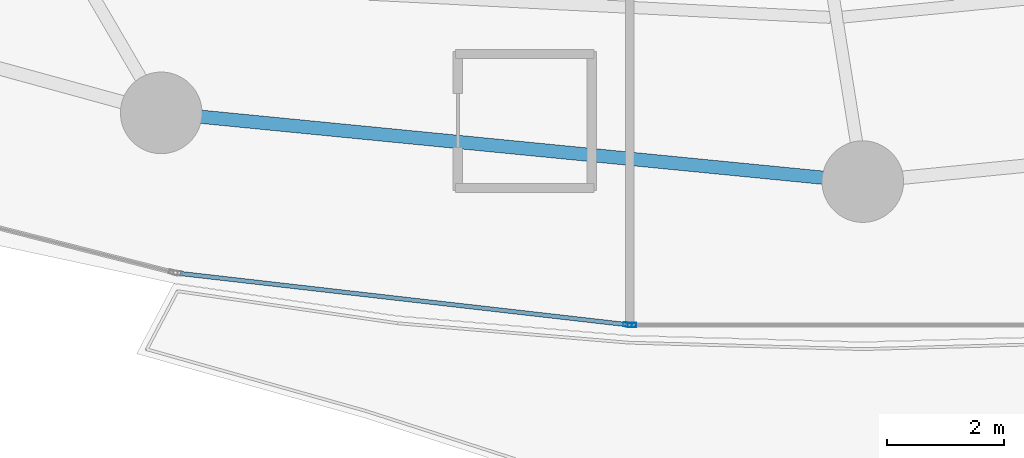
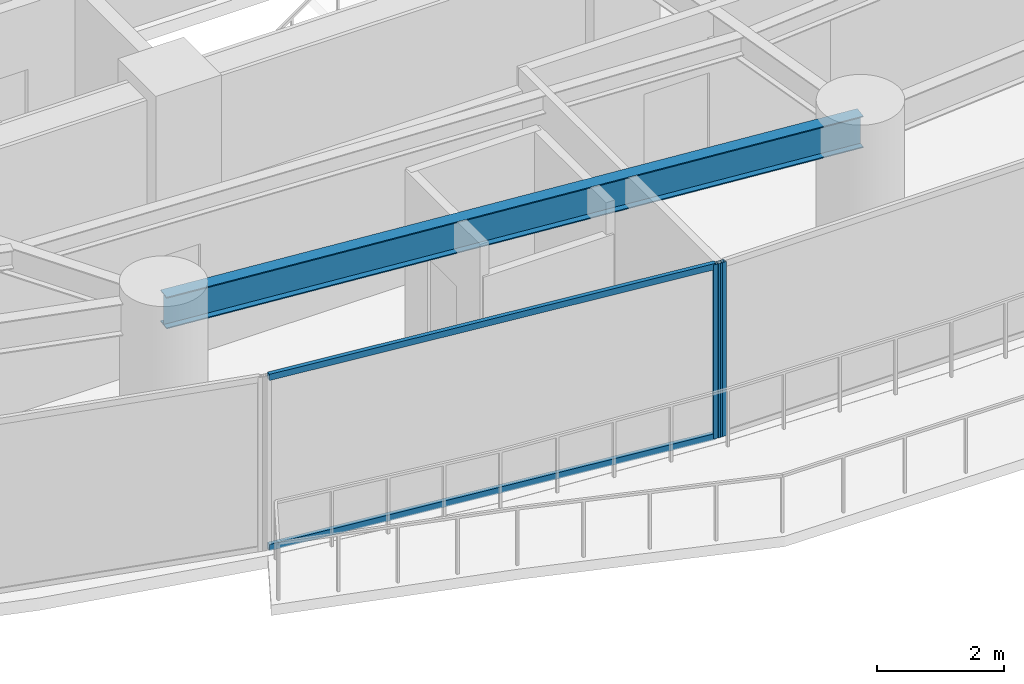
# One storey, part 6 of 31: 4 members, 1 beam, 2 elements without a shape of their own.
"""IFC4 building model written with IfcOpenShell, lengths in metres."""

from ifc_helpers import new_model, si_unit, direction, frame, origin, origin_2d, place, context, subcontext, project, spatial, hollow_rectangle, i_section, extrude, material, layer, layer_set, material_profile, profile_set, type_object, element, aggregate, save


model = new_model("IFC4")

# Units and contexts
model_context = context("Model", 3, precision=1e-05, world=origin(), true_north=direction((0.0, 1.0)))
body_context = subcontext(model_context, "Body", "Model", "MODEL_VIEW")
ifc_project = project(units=[si_unit("LENGTHUNIT", "METRE"), si_unit("AREAUNIT", "SQUARE_METRE"), si_unit("VOLUMEUNIT", "CUBIC_METRE"), si_unit("PLANEANGLEUNIT", "RADIAN"), si_unit("MASSUNIT", "GRAM", prefix="KILO")], contexts=[model_context])

# Site, building, storey
site_placement = place(None, origin())
site = spatial("IfcSite", under=ifc_project, at=site_placement, CompositionType="ELEMENT")
building_placement = place(site_placement, origin())
building = spatial("IfcBuilding", under=site, at=building_placement, Name="Kazevale Care Tower and Concert Hall", CompositionType="ELEMENT")
storey_placement = place(building_placement, frame((0.0, 0.0, 56.39990234375)))
storey = spatial("IfcBuildingStorey", under=building, at=storey_placement, Name="L14", CompositionType="ELEMENT", Elevation=56.39990234375)

# Curtain wall, member
ifc_material_1 = material(Name="Aluminium 6063-T6 and Low-E Glass", Category="aluminium")
ifc_layer = layer(ifc_material_1, 0.179931640625)
ifc_layer_set = layer_set([ifc_layer], Name="Aluminium 6063-T6 and Low-E Glass")
curtain_wall_type = type_object("IfcCurtainWallType", Name="Sheltered Concave Balcony Curtain Wall CW-5", PredefinedType="NOTDEFINED", material=ifc_layer_set)
curtain_wall_1_placement = place(storey_placement, origin())
curtain_wall_1 = element("IfcCurtainWall", 1, at=curtain_wall_1_placement, inside=storey, type_object=curtain_wall_type, Name="cw:L14:f06", PredefinedType="NOTDEFINED")
ifc_material_2 = material(Name="Aluminium 6063-T6", Category="aluminium")
ifc_material_profile_1 = material_profile(ifc_material_2, hollow_rectangle(XDim=0.074951171875, YDim=0.14990234375, WallThickness=0.00390625, at=origin_2d()), Name="ALU75x150x4")
ifc_profile_set_1 = profile_set([ifc_material_profile_1], Name="Aluminium 6063-T6")
member_type_1 = type_object("IfcMemberType", Name="CW-5 Mullion ALU75x150x4", PredefinedType="MULLION", material=ifc_profile_set_1)
member_1_placement = place(storey_placement, frame((41.03955078125, 14.889892578125, 0.0), z_axis=(0.0, 0.0, 1.0), x_axis=(0.0, -1.0, 0.0)))
member_1 = element("IfcMember", 2, at=member_1_placement, type_object=member_type_1, Name="CW-5 mullion 2", PredefinedType="MULLION", context=body_context, shape_type="SweptSolid", body=[
    extrude(hollow_rectangle(XDim=0.074951171875, YDim=0.14990234375, WallThickness=0.00390625, at=origin_2d()), origin(), (0.0, 0.0, 1.0), 3.360107421875),
])
aggregate(curtain_wall_1, [member_1])

# Curtain wall, members
curtain_wall_2_placement = place(storey_placement, origin())
curtain_wall_2 = element("IfcCurtainWall", 3, at=curtain_wall_2_placement, inside=storey, type_object=curtain_wall_type, Name="cw:L14:f07", PredefinedType="NOTDEFINED")
member_2_placement = place(storey_placement, frame((40.96484375, 14.894287109375, 0.0), z_axis=(0.0, 0.0, 1.0), x_axis=(-0.113704773808, -0.993514581883, 0.0)))
member_2 = element("IfcMember", 4, at=member_2_placement, type_object=member_type_1, Name="CW-5 mullion 1", PredefinedType="MULLION", context=body_context, shape_type="SweptSolid", body=[
    extrude(hollow_rectangle(XDim=0.074951171875, YDim=0.14990234375, WallThickness=0.00390625, at=origin_2d()), origin(), (0.0, 0.0, 1.0), 3.360107421875),
])
ifc_material_profile_2 = material_profile(ifc_material_2, hollow_rectangle(XDim=0.074951171875, YDim=0.1201171875, WallThickness=0.00390625, at=origin_2d()), Name="ALU75x120x4")
ifc_profile_set_2 = profile_set([ifc_material_profile_2], Name="Aluminium 6063-T6")
member_type_2 = type_object("IfcMemberType", Name="CW-5 Transom ALU75x120x4", PredefinedType="USERDEFINED", material=ifc_profile_set_2)
member_3_placement = place(storey_placement, frame((40.927490234375, 14.8984375, 0.03759765625), z_axis=(-0.993513842403, 0.113711234948, 0.0), x_axis=(-0.113711234948, -0.993513842403, 0.0)))
member_3 = element("IfcMember", 5, at=member_3_placement, type_object=member_type_2, Name="CW-5 transom 1.1", ObjectType="TRANSOM", PredefinedType="USERDEFINED", context=body_context, shape_type="SweptSolid", body=[
    extrude(hollow_rectangle(XDim=0.074951171875, YDim=0.1201171875, WallThickness=0.00390625, at=origin_2d()), origin(), (0.0, 0.0, 1.0), 7.69482421875),
])
member_4_placement = place(storey_placement, frame((40.927490234375, 14.8984375, 3.322509765625), z_axis=(-0.993513842403, 0.113711234948, 0.0), x_axis=(-0.113711234948, -0.993513842403, 0.0)))
member_4 = element("IfcMember", 6, at=member_4_placement, type_object=member_type_2, Name="CW-5 transom 1.2", ObjectType="TRANSOM", PredefinedType="USERDEFINED", context=body_context, shape_type="SweptSolid", body=[
    extrude(hollow_rectangle(XDim=0.074951171875, YDim=0.1201171875, WallThickness=0.00390625, at=origin_2d()), origin(), (0.0, 0.0, 1.0), 7.69482421875),
])
aggregate(curtain_wall_2, [member_2, member_3, member_4])

# Beam
ifc_material_3 = material(Name="Steel ASTM A572 Gr 50", Category="steel")
ifc_material_profile_3 = material_profile(ifc_material_3, i_section(OverallWidth=0.22900390625, OverallDepth=0.612060546875, WebThickness=0.011962890625, FlangeThickness=0.01953125, at=origin_2d()), Name="W610x125")
ifc_profile_set_3 = profile_set([ifc_material_profile_3], Name="Steel ASTM A572 Gr 50")
beam_type = type_object("IfcBeamType", Name="Ring Spandrel Beam W610x125", PredefinedType="SPANDREL", material=ifc_profile_set_3)
beam_placement = place(storey_placement, frame((32.9599609375, 18.530029296875, 3.05419921875), z_axis=(0.995232251602, -0.09753340644, 0.0), x_axis=(0.09753340644, 0.995232251602, 0.0)))
element("IfcBeam", 7, at=beam_placement, inside=storey, type_object=beam_type, Name="beam:L14:ring:12", PredefinedType="SPANDREL", context=body_context, shape_type="SweptSolid", body=[
    extrude(i_section(OverallWidth=0.22900390625, OverallDepth=0.612060546875, WebThickness=0.011962890625, FlangeThickness=0.01953125, at=origin_2d()), origin(), (0.0, 0.0, 1.0), 12.09765625),
])

save(model, "model.ifc")
